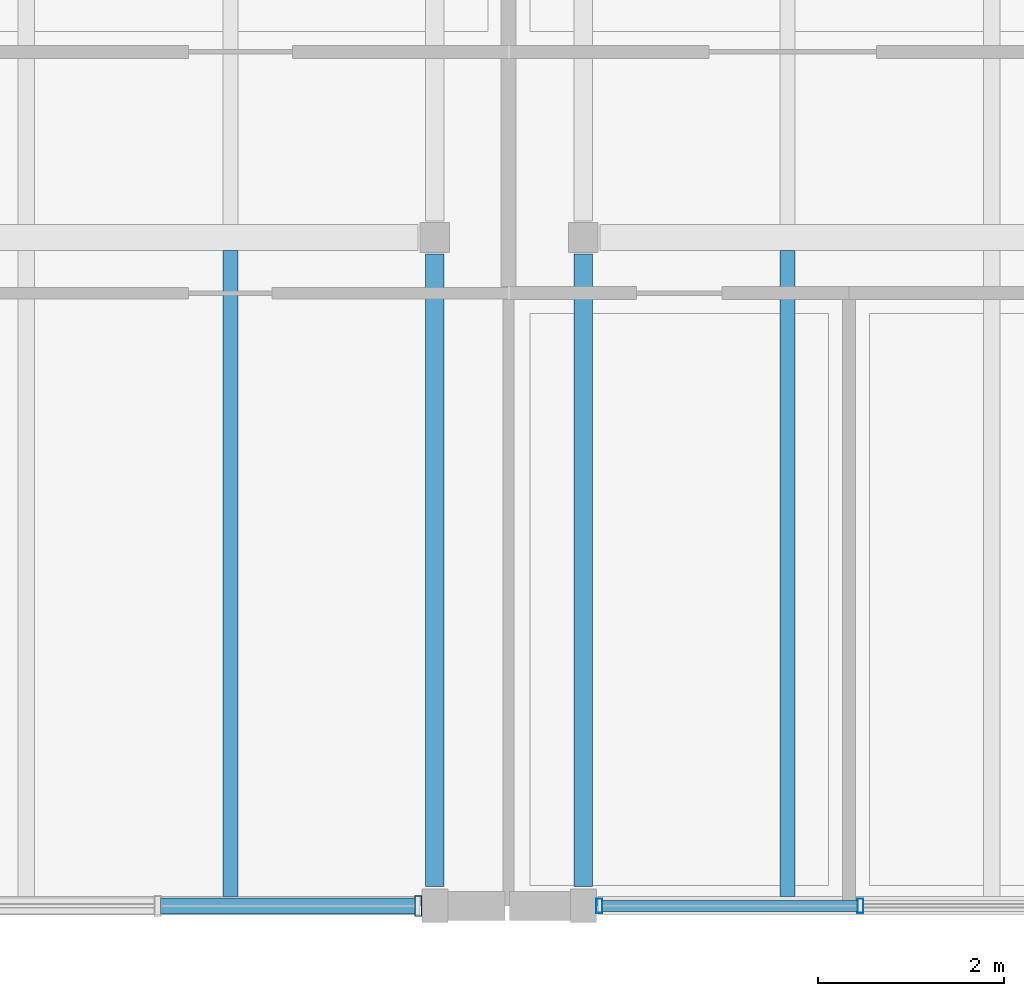
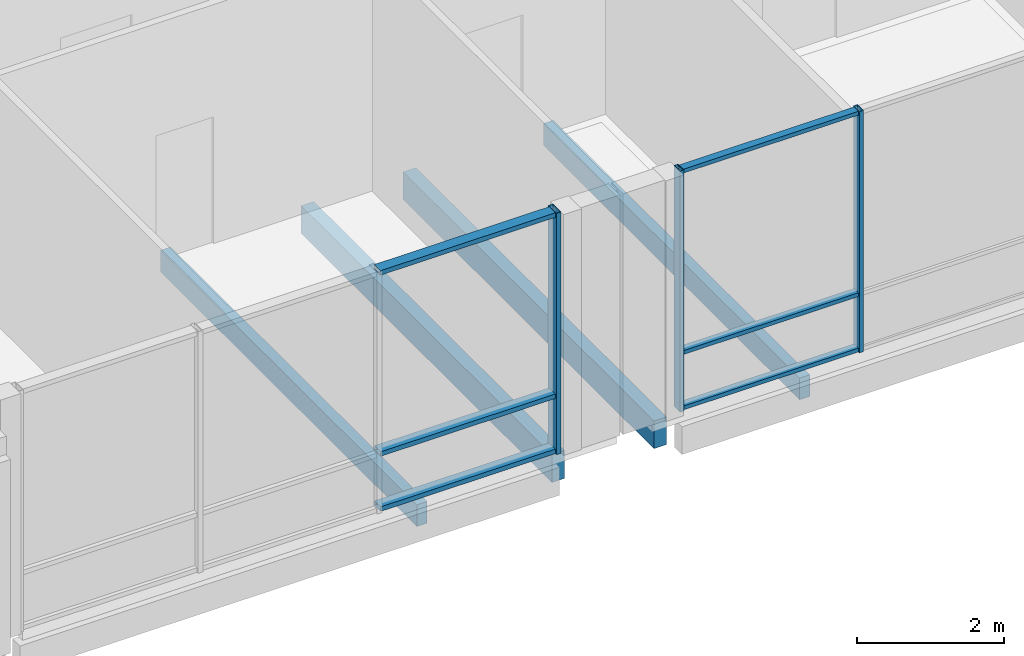
# One storey, part 32 of 115: 9 members, 4 beams, 2 elements without a shape of their own.
"""IFC4 building model written with IfcOpenShell, lengths in metres."""

from ifc_helpers import new_model, si_unit, direction, frame, origin, origin_2d, place, context, subcontext, project, spatial, rectangle, hollow_rectangle, extrude, material, material_profile, profile_set, type_object, element, aggregate, save


model = new_model("IFC4")

# Units and contexts
model_context = context("Model", 3, precision=1e-05, world=origin(), true_north=direction((0.0, 1.0)))
body_context = subcontext(model_context, "Body", "Model", "MODEL_VIEW")
ifc_project = project(units=[si_unit("LENGTHUNIT", "METRE"), si_unit("AREAUNIT", "SQUARE_METRE"), si_unit("VOLUMEUNIT", "CUBIC_METRE"), si_unit("PLANEANGLEUNIT", "RADIAN"), si_unit("MASSUNIT", "GRAM", prefix="KILO")], contexts=[model_context])

# Site, building, storey
site_placement = place(None, origin())
site = spatial("IfcSite", under=ifc_project, at=site_placement, CompositionType="ELEMENT")
building_placement = place(site_placement, origin())
building = spatial("IfcBuilding", under=site, at=building_placement, Name="Hawrajan Terrace Health Centre", CompositionType="ELEMENT")
storey_placement = place(building_placement, frame((0.0, 0.0, 9.0)))
storey = spatial("IfcBuildingStorey", under=building, at=storey_placement, Name="L02", CompositionType="ELEMENT", Elevation=9.0)

# Curtain wall, members
ifc_material_1 = material(Name="Anodized bronze aluminium and low-E solar glazing", Category="aluminium")
curtain_wall_type_1 = type_object("IfcCurtainWallType", Name="CW_Clerestory_SeriesG3", PredefinedType="USERDEFINED", material=ifc_material_1)
curtain_wall_1_placement = place(storey_placement, origin())
curtain_wall_1 = element("IfcCurtainWall", 1, at=curtain_wall_1_placement, inside=storey, type_object=curtain_wall_type_1, Name="Curtain wall CW-L02-138", ObjectType="UNITISED CURTAIN WALL", PredefinedType="USERDEFINED")
ifc_material_2 = material(Name="Anodized bronze aluminium 6063-T6", Category="aluminium")
ifc_material_profile_1 = material_profile(ifc_material_2, hollow_rectangle(XDim=0.06494140625, YDim=0.159912109375, WallThickness=0.00390625, at=origin_2d()), Name="CW MUL 65x160")
ifc_profile_set_1 = profile_set([ifc_material_profile_1], Name="Anodized bronze aluminium 6063-T6")
member_type_1 = type_object("IfcMemberType", Name="CWMullion_65x160", PredefinedType="MULLION", material=ifc_profile_set_1)
member_1_placement = place(storey_placement, frame((72.7724609375, 4.199951171875, -0.0048828125), z_axis=(0.0, 0.0, 1.0), x_axis=(1.0, 0.0, 0.0)))
member_1 = element("IfcMember", 2, at=member_1_placement, type_object=member_type_1, Name="Mullion CW-L02-138-M1", PredefinedType="MULLION", context=body_context, shape_type="SweptSolid", body=[
    extrude(hollow_rectangle(XDim=0.06494140625, YDim=0.159912109375, WallThickness=0.00390625, at=origin_2d()), origin(), (0.0, 0.0, 1.0), 4.0),
])
member_2_placement = place(storey_placement, frame((75.584228515625, 4.199951171875, -0.0048828125), z_axis=(0.0, 0.0, 1.0), x_axis=(1.0, 0.0, 0.0)))
member_2 = element("IfcMember", 3, at=member_2_placement, type_object=member_type_1, Name="Mullion CW-L02-138-M2", PredefinedType="MULLION", context=body_context, shape_type="SweptSolid", body=[
    extrude(hollow_rectangle(XDim=0.06494140625, YDim=0.159912109375, WallThickness=0.00390625, at=origin_2d()), origin(), (0.0, 0.0, 1.0), 4.0),
])

# Curtain wall, member
curtain_wall_type_2 = type_object("IfcCurtainWallType", Name="CW_Garden_SeriesF1", PredefinedType="USERDEFINED", material=ifc_material_1)
curtain_wall_2_placement = place(storey_placement, origin())
curtain_wall_2 = element("IfcCurtainWall", 4, at=curtain_wall_2_placement, inside=storey, type_object=curtain_wall_type_2, Name="Curtain wall CW-L02-134", ObjectType="UNITISED CURTAIN WALL", PredefinedType="USERDEFINED")
ifc_material_profile_2 = material_profile(ifc_material_2, hollow_rectangle(XDim=0.074951171875, YDim=0.219970703125, WallThickness=0.0048828125, at=origin_2d()), Name="CW MUL 75x220")
ifc_profile_set_2 = profile_set([ifc_material_profile_2], Name="Anodized bronze aluminium 6063-T6")
member_type_2 = type_object("IfcMemberType", Name="CWMullion_75x220", PredefinedType="MULLION", material=ifc_profile_set_2)
member_3_placement = place(storey_placement, frame((70.822509765625, 4.199951171875, -0.0048828125), z_axis=(0.0, 0.0, 1.0), x_axis=(1.0, 0.0, 0.0)))
member_3 = element("IfcMember", 5, at=member_3_placement, type_object=member_type_2, Name="Mullion CW-L02-134-M4", PredefinedType="MULLION", context=body_context, shape_type="SweptSolid", body=[
    extrude(hollow_rectangle(XDim=0.074951171875, YDim=0.219970703125, WallThickness=0.0048828125, at=origin_2d()), origin(), (0.0, 0.0, 1.0), 4.0),
])

# Member
ifc_material_profile_3 = material_profile(ifc_material_2, hollow_rectangle(XDim=0.06494140625, YDim=0.1201171875, WallThickness=0.00341796875, at=origin_2d()), Name="CW TRN 65x120")
ifc_profile_set_3 = profile_set([ifc_material_profile_3], Name="Anodized bronze aluminium 6063-T6")
member_type_3 = type_object("IfcMemberType", Name="CWTransom_65x120", PredefinedType="USERDEFINED", material=ifc_profile_set_3)
member_4_placement = place(storey_placement, frame((72.799072265625, 4.199951171875, 0.032470703125), z_axis=(1.0, 0.0, 0.0), x_axis=(0.0, 0.0, 1.0)))
member_4 = element("IfcMember", 6, at=member_4_placement, type_object=member_type_3, Name="Transom CW-L02-138-T1-1", ObjectType="TRANSOM", PredefinedType="USERDEFINED", context=body_context, shape_type="SweptSolid", body=[
    extrude(hollow_rectangle(XDim=0.06494140625, YDim=0.1201171875, WallThickness=0.00341796875, at=origin_2d()), origin(), (0.0, 0.0, 1.0), 2.758544921875),
])

member_5_placement = place(storey_placement, frame((72.799072265625, 4.199951171875, 0.949951171875), z_axis=(1.0, 0.0, 0.0), x_axis=(0.0, 0.0, 1.0)))
member_5 = element("IfcMember", 7, at=member_5_placement, type_object=member_type_3, Name="Transom CW-L02-138-T1-2", ObjectType="TRANSOM", PredefinedType="USERDEFINED", context=body_context, shape_type="SweptSolid", body=[
    extrude(hollow_rectangle(XDim=0.06494140625, YDim=0.1201171875, WallThickness=0.00341796875, at=origin_2d()), origin(), (0.0, 0.0, 1.0), 2.758544921875),
])

member_6_placement = place(storey_placement, frame((72.799072265625, 4.199951171875, 3.95751953125), z_axis=(1.0, 0.0, 0.0), x_axis=(0.0, 0.0, 1.0)))
member_6 = element("IfcMember", 8, at=member_6_placement, type_object=member_type_3, Name="Transom CW-L02-138-T1-3", ObjectType="TRANSOM", PredefinedType="USERDEFINED", context=body_context, shape_type="SweptSolid", body=[
    extrude(hollow_rectangle(XDim=0.06494140625, YDim=0.1201171875, WallThickness=0.00341796875, at=origin_2d()), origin(), (0.0, 0.0, 1.0), 2.758544921875),
])

aggregate(curtain_wall_1, [member_1, member_2, member_4, member_5, member_6])

ifc_material_profile_4 = material_profile(ifc_material_2, hollow_rectangle(XDim=0.074951171875, YDim=0.169921875, WallThickness=0.00439453125, at=origin_2d()), Name="CW TRN 75x170")
ifc_profile_set_4 = profile_set([ifc_material_profile_4], Name="Anodized bronze aluminium 6063-T6")
member_type_4 = type_object("IfcMemberType", Name="CWTransom_75x170", PredefinedType="USERDEFINED", material=ifc_profile_set_4)
member_7_placement = place(storey_placement, frame((68.045654296875, 4.199951171875, 0.03759765625), z_axis=(1.0, 0.0, 0.0), x_axis=(0.0, 0.0, 1.0)))
member_7 = element("IfcMember", 9, at=member_7_placement, type_object=member_type_4, Name="Transom CW-L02-134-T3-1", ObjectType="TRANSOM", PredefinedType="USERDEFINED", context=body_context, shape_type="SweptSolid", body=[
    extrude(hollow_rectangle(XDim=0.074951171875, YDim=0.169921875, WallThickness=0.00439453125, at=origin_2d()), origin(), (0.0, 0.0, 1.0), 2.745361328125),
])

member_8_placement = place(storey_placement, frame((68.045654296875, 4.199951171875, 0.949951171875), z_axis=(1.0, 0.0, 0.0), x_axis=(0.0, 0.0, 1.0)))
member_8 = element("IfcMember", 10, at=member_8_placement, type_object=member_type_4, Name="Transom CW-L02-134-T3-2", ObjectType="TRANSOM", PredefinedType="USERDEFINED", context=body_context, shape_type="SweptSolid", body=[
    extrude(hollow_rectangle(XDim=0.074951171875, YDim=0.169921875, WallThickness=0.00439453125, at=origin_2d()), origin(), (0.0, 0.0, 1.0), 2.745361328125),
])

member_9_placement = place(storey_placement, frame((68.045654296875, 4.199951171875, 3.952392578125), z_axis=(1.0, 0.0, 0.0), x_axis=(0.0, 0.0, 1.0)))
member_9 = element("IfcMember", 11, at=member_9_placement, type_object=member_type_4, Name="Transom CW-L02-134-T3-3", ObjectType="TRANSOM", PredefinedType="USERDEFINED", context=body_context, shape_type="SweptSolid", body=[
    extrude(hollow_rectangle(XDim=0.074951171875, YDim=0.169921875, WallThickness=0.00439453125, at=origin_2d()), origin(), (0.0, 0.0, 1.0), 2.745361328125),
])

aggregate(curtain_wall_2, [member_3, member_7, member_8, member_9])

# Beams
ifc_material_3 = material(Name="Glulam GL28h", Category="wood")
ifc_material_profile_5 = material_profile(ifc_material_3, rectangle(XDim=0.159912109375, YDim=0.360107421875, at=origin_2d()), Name="GL JST 160x360")
ifc_profile_set_5 = profile_set([ifc_material_profile_5], Name="Glulam GL28h")
beam_type_1 = type_object("IfcBeamType", Name="GlulamJoist_160x360", PredefinedType="JOIST", material=ifc_profile_set_5)
for number, where, z_axis, x_axis, name in (
    (12, (68.800048828125, 4.300048828125, -0.419921875), (0.0, 1.0, 0.0), (-1.0, 0.0, 0.0), "Secondary joist JST-L02-W-09-1-3"),
    (13, (74.800048828125, 4.300048828125, -0.419921875), (0.0, 1.0, 0.0), (-1.0, 0.0, 0.0), "Secondary joist JST-L02-C-10-1-1"),
):
    element("IfcBeam", number, at=place(storey_placement, frame(where, z_axis=z_axis, x_axis=x_axis)), inside=storey, type_object=beam_type_1, Name=name, PredefinedType="JOIST", context=body_context, shape_type="SweptSolid", body=[
        extrude(rectangle(XDim=0.159912109375, YDim=0.360107421875, at=origin_2d()), origin(), (0.0, 0.0, 1.0), 6.9599609375),
    ])
ifc_material_4 = material(Name="Glulam GL32h", Category="wood")
ifc_material_profile_6 = material_profile(ifc_material_4, rectangle(XDim=0.199951171875, YDim=0.4599609375, at=origin_2d()), Name="GL SP 200x460")
ifc_profile_set_6 = profile_set([ifc_material_profile_6], Name="Glulam GL32h")
beam_type_2 = type_object("IfcBeamType", Name="GlulamSpandrel_200x460", PredefinedType="SPANDREL", material=ifc_profile_set_6)
for number, where, z_axis, x_axis, name in (
    (14, (71.0, 4.409912109375, -0.469970703125), (0.0, 1.0, 0.0), (-1.0, 0.0, 0.0), "Beam BM-Y-L02-W-X10-1"),
    (15, (72.60009765625, 4.409912109375, -0.469970703125), (0.0, 1.0, 0.0), (-1.0, 0.0, 0.0), "Beam BM-Y-L02-C-X10-1"),
):
    element("IfcBeam", number, at=place(storey_placement, frame(where, z_axis=z_axis, x_axis=x_axis)), inside=storey, type_object=beam_type_2, Name=name, PredefinedType="SPANDREL", context=body_context, shape_type="SweptSolid", body=[
        extrude(rectangle(XDim=0.199951171875, YDim=0.4599609375, at=origin_2d()), origin(), (0.0, 0.0, 1.0), 6.81005859375),
    ])

save(model, "model.ifc")
